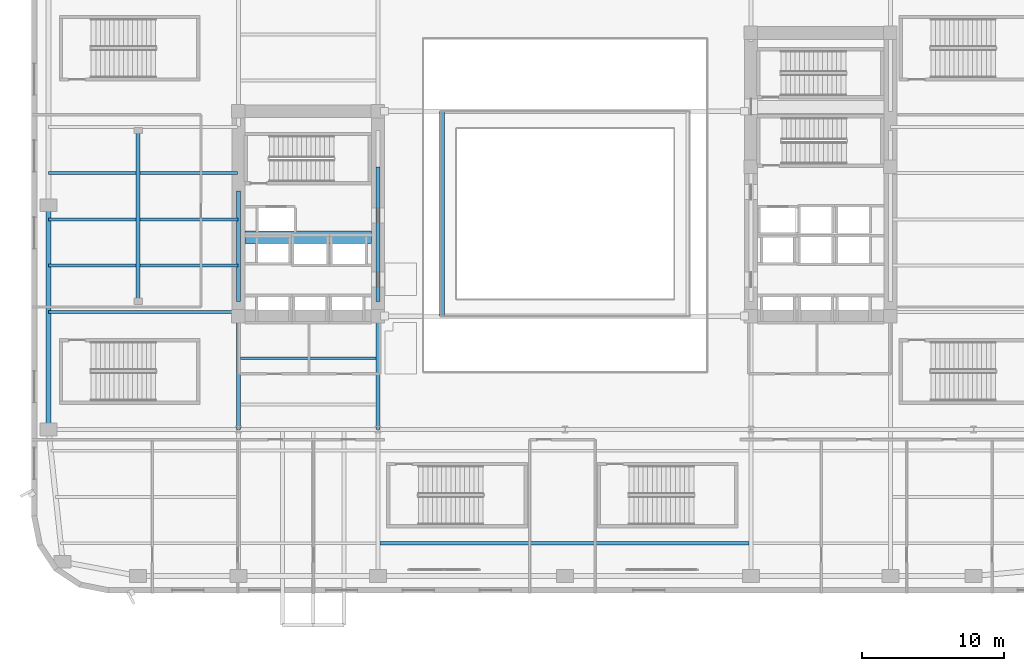
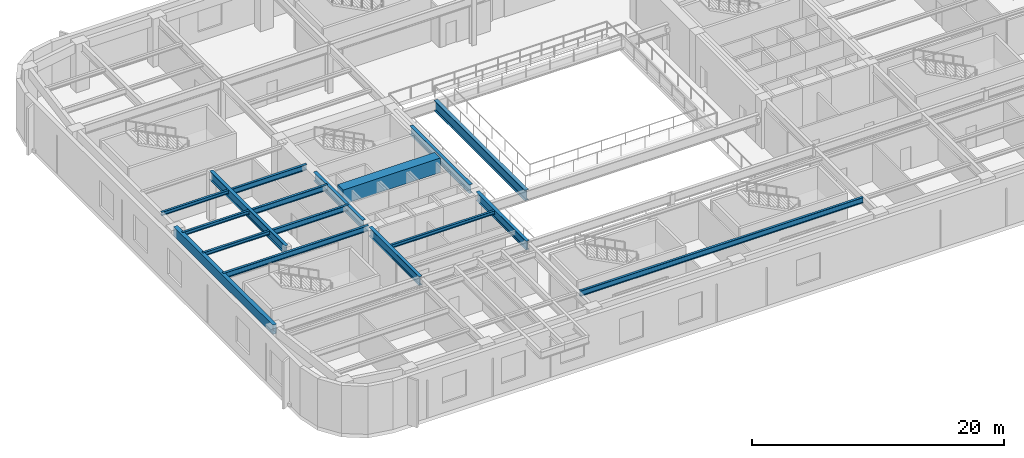
# One storey, part 3 of 24: 17 beams.
"""IFC4 building model written with IfcOpenShell, lengths in metres."""

from ifc_helpers import new_model, si_unit, direction, frame, origin, origin_2d, place, context, subcontext, project, spatial, rectangle, hollow_rectangle, i_section, extrude, material, material_profile, profile_set, type_object, element, save


model = new_model("IFC4")

# Units and contexts
model_context = context("Model", 3, precision=1e-05, world=origin(), true_north=direction((0.0, 1.0)))
body_context = subcontext(model_context, "Body", "Model", "MODEL_VIEW")
ifc_project = project(units=[si_unit("LENGTHUNIT", "METRE"), si_unit("AREAUNIT", "SQUARE_METRE"), si_unit("VOLUMEUNIT", "CUBIC_METRE"), si_unit("PLANEANGLEUNIT", "RADIAN"), si_unit("MASSUNIT", "GRAM", prefix="KILO")], contexts=[model_context])

# Site, building, storey
site_placement = place(None, origin())
site = spatial("IfcSite", under=ifc_project, at=site_placement, CompositionType="ELEMENT")
building_placement = place(site_placement, origin())
building = spatial("IfcBuilding", under=site, at=building_placement, Name="Kolvaren Arena Tower", CompositionType="ELEMENT")
storey_placement = place(building_placement, frame((0.0, 0.0, 23.0)))
storey = spatial("IfcBuildingStorey", under=building, at=storey_placement, Name="L04", CompositionType="ELEMENT", Elevation=23.0)

# Beams
ifc_material_1 = material(Name="Steel CSA G40.21 350W", Category="steel")
ifc_material_profile_1 = material_profile(ifc_material_1, i_section(OverallWidth=0.2119140625, OverallDepth=0.54296875, WebThickness=0.01318359375, FlangeThickness=0.0244140625, FilletRadius=0.013916015625, at=origin_2d()), Name="W530x150")
ifc_profile_set_1 = profile_set([ifc_material_profile_1], Name="Steel CSA G40.21 350W")
beam_type_1 = type_object("IfcBeamType", Name="BEAM-F1", PredefinedType="BEAM", material=ifc_profile_set_1)
beam_1_placement = place(storey_placement, frame((24.49609375, 3.5, 4.37841796875), z_axis=(1.0, 0.0, 0.0), x_axis=(0.0, 1.0, 0.0)))
element("IfcBeam", 1, at=beam_1_placement, inside=storey, type_object=beam_type_1, Name="Composite Floor Beam (L04)", PredefinedType="BEAM", context=body_context, shape_type="SweptSolid", body=[
    extrude(i_section(OverallWidth=0.2119140625, OverallDepth=0.54296875, WebThickness=0.01318359375, FlangeThickness=0.0244140625, FilletRadius=0.013916015625, at=origin_2d()), origin(), (0.0, 0.0, 1.0), 25.907958984375),
])
beam_2_placement = place(storey_placement, frame((1.199951171875, 19.75, 4.37841796875), z_axis=(1.0, 0.0, 0.0), x_axis=(0.0, 1.0, 0.0)))
element("IfcBeam", 2, at=beam_2_placement, inside=storey, type_object=beam_type_1, Name="Composite Floor Beam (L04)", PredefinedType="BEAM", context=body_context, shape_type="SweptSolid", body=[
    extrude(i_section(OverallWidth=0.2119140625, OverallDepth=0.54296875, WebThickness=0.01318359375, FlangeThickness=0.0244140625, FilletRadius=0.013916015625, at=origin_2d()), origin(), (0.0, 0.0, 1.0), 13.330078125),
])
for number, where, z_axis, x_axis, name in (
    (3, (7.64599609375, 23.0, 4.37841796875), (1.0, 0.0, 0.0), (0.0, 1.0, 0.0), "Composite Floor Beam (L04)"),
    (4, (7.64599609375, 26.25, 4.37841796875), (1.0, 0.0, 0.0), (0.0, 1.0, 0.0), "Composite Floor Beam (L04)"),
):
    element("IfcBeam", number, at=place(storey_placement, frame(where, z_axis=z_axis, x_axis=x_axis)), inside=storey, type_object=beam_type_1, Name=name, PredefinedType="BEAM", context=body_context, shape_type="SweptSolid", body=[
        extrude(i_section(OverallWidth=0.2119140625, OverallDepth=0.54296875, WebThickness=0.01318359375, FlangeThickness=0.0244140625, FilletRadius=0.013916015625, at=origin_2d()), origin(), (0.0, 0.0, 1.0), 6.884033203125),
    ])
beam_3_placement = place(storey_placement, frame((7.64599609375, 29.5, 4.37841796875), z_axis=(1.0, 0.0, 0.0), x_axis=(0.0, 1.0, 0.0)))
element("IfcBeam", 5, at=beam_3_placement, inside=storey, type_object=beam_type_1, Name="Composite Floor Beam (L04)", PredefinedType="BEAM", context=body_context, shape_type="SweptSolid", body=[
    extrude(i_section(OverallWidth=0.2119140625, OverallDepth=0.54296875, WebThickness=0.01318359375, FlangeThickness=0.0244140625, FilletRadius=0.013916015625, at=origin_2d()), origin(), (0.0, 0.0, 1.0), 6.833984375),
])
ifc_material_2 = material(Name="Concrete 75 MPa", Category="concrete")
ifc_material_profile_2 = material_profile(ifc_material_2, rectangle(XDim=0.89990234375, YDim=1.39990234375, at=origin_2d()), Name="RC-900x1400")
ifc_profile_set_2 = profile_set([ifc_material_profile_2], Name="Concrete 75 MPa")
beam_type_2 = type_object("IfcBeamType", Name="CB-CORE-1", PredefinedType="BEAM", material=ifc_profile_set_2)
beam_4_placement = place(storey_placement, frame((15.0, 25.0, 4.219970703125), z_axis=(1.0, 0.0, 0.0), x_axis=(0.0, 1.0, 0.0)))
element("IfcBeam", 6, at=beam_4_placement, inside=storey, type_object=beam_type_2, Name="West Core Coupling Beam (L04)", PredefinedType="BEAM", context=body_context, shape_type="SweptSolid", body=[
    extrude(rectangle(XDim=0.89990234375, YDim=1.39990234375, at=origin_2d()), origin(), (0.0, 0.0, 1.0), 8.89990234375),
])
ifc_material_profile_3 = material_profile(ifc_material_1, i_section(OverallWidth=0.2919921875, OverallDepth=0.85498046875, WebThickness=0.02099609375, FlangeThickness=0.03564453125, FilletRadius=0.01806640625, at=origin_2d()), Name="W840x299")
ifc_profile_set_3 = profile_set([ifc_material_profile_3], Name="Steel CSA G40.21 350W")
beam_type_3 = type_object("IfcBeamType", Name="GIRD-P1", PredefinedType="BEAM", material=ifc_profile_set_3)
beam_5_placement = place(storey_placement, frame((7.5, 20.5, 4.222412109375), z_axis=(0.0, 1.0, 0.0), x_axis=(-1.0, 0.0, 0.0)))
element("IfcBeam", 7, at=beam_5_placement, inside=storey, type_object=beam_type_3, Name="Primary Floor Girder (L04)", PredefinedType="BEAM", context=body_context, shape_type="SweptSolid", body=[
    extrude(i_section(OverallWidth=0.2919921875, OverallDepth=0.85498046875, WebThickness=0.02099609375, FlangeThickness=0.03564453125, FilletRadius=0.01806640625, at=origin_2d()), origin(), (0.0, 0.0, 1.0), 12.0),
])
beam_6_placement = place(storey_placement, frame((14.550048828125, 11.5, 4.222412109375), z_axis=(0.0, 1.0, 0.0), x_axis=(-1.0, 0.0, 0.0)))
element("IfcBeam", 8, at=beam_6_placement, inside=storey, type_object=beam_type_3, Name="Primary Floor Girder (L04)", PredefinedType="BEAM", context=body_context, shape_type="SweptSolid", body=[
    extrude(i_section(OverallWidth=0.2919921875, OverallDepth=0.85498046875, WebThickness=0.02099609375, FlangeThickness=0.03564453125, FilletRadius=0.01806640625, at=origin_2d()), origin(), (0.0, 0.0, 1.0), 7.949951171875),
])
beam_7_placement = place(storey_placement, frame((14.550048828125, 20.5, 4.222412109375), z_axis=(0.0, 1.0, 0.0), x_axis=(-1.0, 0.0, 0.0)))
element("IfcBeam", 9, at=beam_7_placement, inside=storey, type_object=beam_type_3, Name="Primary Floor Girder (L04)", PredefinedType="BEAM", context=body_context, shape_type="SweptSolid", body=[
    extrude(i_section(OverallWidth=0.2919921875, OverallDepth=0.85498046875, WebThickness=0.02099609375, FlangeThickness=0.03564453125, FilletRadius=0.01806640625, at=origin_2d()), origin(), (0.0, 0.0, 1.0), 7.739990234375),
])
beam_8_placement = place(storey_placement, frame((24.35009765625, 11.5, 4.222412109375), z_axis=(0.0, 1.0, 0.0), x_axis=(-1.0, 0.0, 0.0)))
element("IfcBeam", 10, at=beam_8_placement, inside=storey, type_object=beam_type_3, Name="Primary Floor Girder (L04)", PredefinedType="BEAM", context=body_context, shape_type="SweptSolid", body=[
    extrude(i_section(OverallWidth=0.2919921875, OverallDepth=0.85498046875, WebThickness=0.02099609375, FlangeThickness=0.03564453125, FilletRadius=0.01806640625, at=origin_2d()), origin(), (0.0, 0.0, 1.0), 7.949951171875),
])
beam_9_placement = place(storey_placement, frame((24.35009765625, 20.5, 4.222412109375), z_axis=(0.0, 1.0, 0.0), x_axis=(-1.0, 0.0, 0.0)))
element("IfcBeam", 11, at=beam_9_placement, inside=storey, type_object=beam_type_3, Name="Primary Floor Girder (L04)", PredefinedType="BEAM", context=body_context, shape_type="SweptSolid", body=[
    extrude(i_section(OverallWidth=0.2919921875, OverallDepth=0.85498046875, WebThickness=0.02099609375, FlangeThickness=0.03564453125, FilletRadius=0.01806640625, at=origin_2d()), origin(), (0.0, 0.0, 1.0), 9.449951171875),
])
ifc_material_profile_4 = material_profile(ifc_material_1, i_section(OverallWidth=0.202880859375, OverallDepth=0.346923828125, WebThickness=0.0078125, FlangeThickness=0.013427734375, FilletRadius=0.010986328125, at=origin_2d()), Name="W360x64")
ifc_profile_set_4 = profile_set([ifc_material_profile_4], Name="Steel CSA G40.21 350W")
beam_type_4 = type_object("IfcBeamType", Name="JOIST-01", PredefinedType="JOIST", material=ifc_profile_set_4)
beam_10_placement = place(storey_placement, frame((14.696044921875, 16.5, 4.4765625), z_axis=(1.0, 0.0, 0.0), x_axis=(0.0, 1.0, 0.0)))
element("IfcBeam", 12, at=beam_10_placement, inside=storey, type_object=beam_type_4, Name="Composite Floor Joist (L04)", PredefinedType="JOIST", context=body_context, shape_type="SweptSolid", body=[
    extrude(i_section(OverallWidth=0.202880859375, OverallDepth=0.346923828125, WebThickness=0.0078125, FlangeThickness=0.013427734375, FilletRadius=0.010986328125, at=origin_2d()), origin(), (0.0, 0.0, 1.0), 9.508056640625),
])
for number, where, z_axis, x_axis, name in (
    (13, (1.199951171875, 23.0, 4.4765625), (1.0, 0.0, 0.0), (0.0, 1.0, 0.0), "Composite Floor Joist (L04)"),
    (14, (1.199951171875, 26.25, 4.4765625), (1.0, 0.0, 0.0), (0.0, 1.0, 0.0), "Composite Floor Joist (L04)"),
    (15, (1.199951171875, 29.5, 4.4765625), (1.0, 0.0, 0.0), (0.0, 1.0, 0.0), "Composite Floor Joist (L04)"),
):
    element("IfcBeam", number, at=place(storey_placement, frame(where, z_axis=z_axis, x_axis=x_axis)), inside=storey, type_object=beam_type_4, Name=name, PredefinedType="JOIST", context=body_context, shape_type="SweptSolid", body=[
        extrude(i_section(OverallWidth=0.202880859375, OverallDepth=0.346923828125, WebThickness=0.0078125, FlangeThickness=0.013427734375, FilletRadius=0.010986328125, at=origin_2d()), origin(), (0.0, 0.0, 1.0), 6.154052734375),
    ])
ifc_material_profile_5 = material_profile(ifc_material_1, i_section(OverallWidth=0.323974609375, OverallDepth=1.011962890625, WebThickness=0.02685546875, FlangeThickness=0.0458984375, FilletRadius=0.02197265625, at=origin_2d()), Name="W1000x443")
ifc_profile_set_5 = profile_set([ifc_material_profile_5], Name="Steel CSA G40.21 350W")
beam_type_5 = type_object("IfcBeamType", Name="RAKER-01", PredefinedType="USERDEFINED", material=ifc_profile_set_5)
beam_11_placement = place(storey_placement, frame((28.85009765625, 19.449951171875, 2.68408203125), z_axis=(0.0, 1.0, 0.0), x_axis=(-1.0, 0.0, 0.0)))
element("IfcBeam", 16, at=beam_11_placement, inside=storey, type_object=beam_type_5, Name="Arena Bowl Raker Girder (L04 W)", ObjectType="RAKER GIRDER", PredefinedType="USERDEFINED", context=body_context, shape_type="SweptSolid", body=[
    extrude(i_section(OverallWidth=0.323974609375, OverallDepth=1.011962890625, WebThickness=0.02685546875, FlangeThickness=0.0458984375, FilletRadius=0.02197265625, at=origin_2d()), origin(), (0.0, 0.0, 1.0), 14.400146484375),
])
ifc_material_3 = material(Name="Steel CSA G40.21 350WT", Category="steel")
ifc_material_profile_6 = material_profile(ifc_material_3, hollow_rectangle(XDim=0.35009765625, YDim=0.89990234375, WallThickness=0.02001953125, at=origin_2d()), Name="HSS 900x350x20")
ifc_profile_set_6 = profile_set([ifc_material_profile_6], Name="Steel CSA G40.21 350WT")
beam_type_6 = type_object("IfcBeamType", Name="SPAND-01", PredefinedType="SPANDREL", material=ifc_profile_set_6)
beam_12_placement = place(storey_placement, frame((1.199951171875, 27.25, 4.199951171875), z_axis=(0.0, -1.0, 0.0), x_axis=(1.0, 0.0, 0.0)))
element("IfcBeam", 17, at=beam_12_placement, inside=storey, type_object=beam_type_6, Name="Perimeter Spandrel Beam (L04)", PredefinedType="SPANDREL", context=body_context, shape_type="SweptSolid", body=[
    extrude(hollow_rectangle(XDim=0.35009765625, YDim=0.89990234375, WallThickness=0.02001953125, at=origin_2d()), origin(), (0.0, 0.0, 1.0), 15.75),
])

save(model, "model.ifc")
